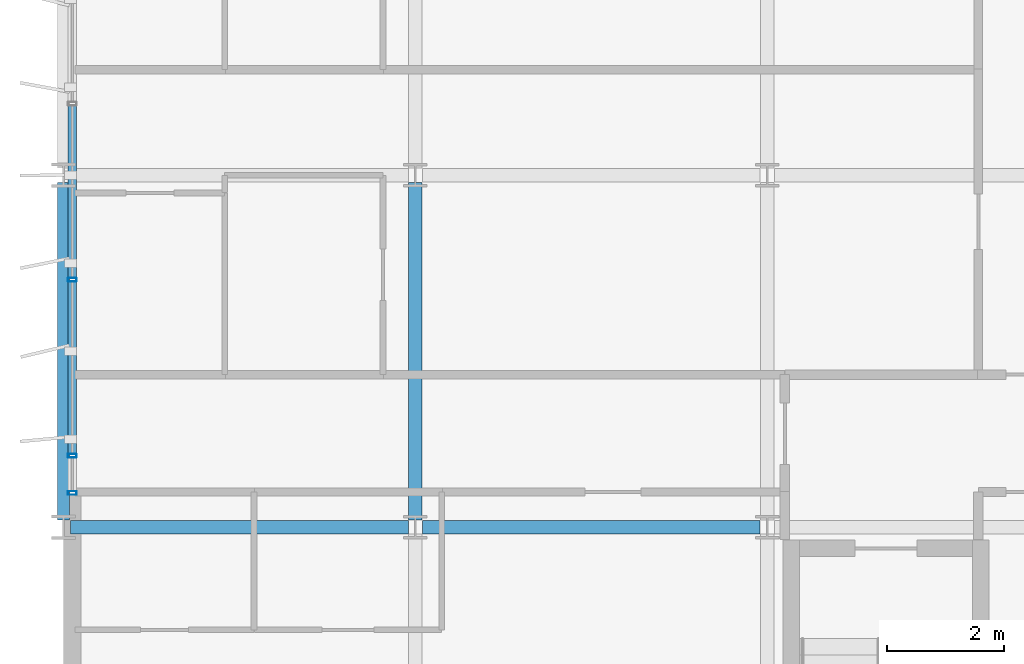
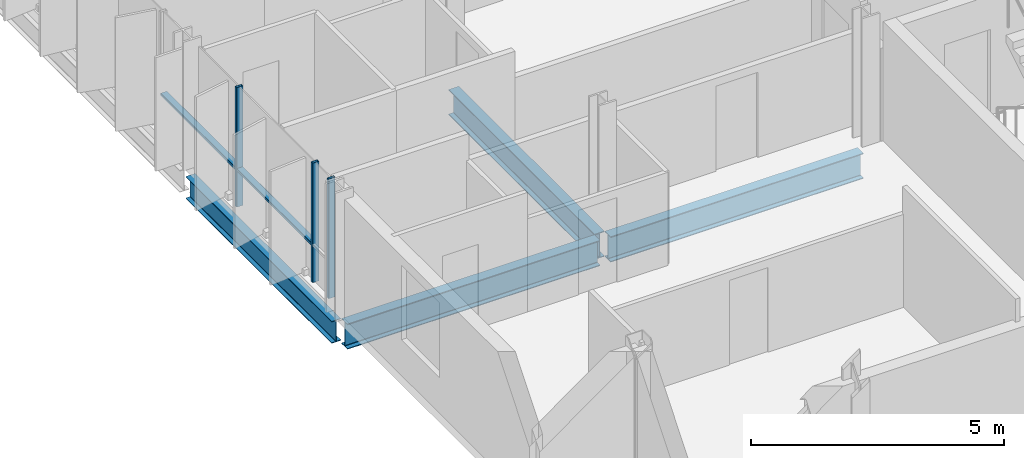
# One storey, part 4 of 39: 5 members, 4 beams, 1 element without a shape of its own.
"""IFC4 building model written with IfcOpenShell, lengths in metres."""

import ifcopenshell
import ifcopenshell.guid

model = None  # the IFC model being written
_history = None  # IfcOwnerHistory: only IFC2X3 demands one
_inside = {}  # id of a spatial element -> (the spatial element, [elements in it])
_under = {}  # id of a project, library or spatial element -> (it, [spatial elements below it])
_declared = {}  # id of a project -> (the project, [libraries it declares])
_typed = {}  # id of a type object -> (the type object, [elements of that type])
_made_of = {}  # id of a material, layer set ... -> (it, [elements and type objects made of it])


def new_model(schema):
    """Start an empty IFC model of exactly this schema.

    Asked for "IFC4X3", IfcOpenShell would pick the latest addendum, in which some entities
    have other attributes; the version numbers below select the first issue.
    IFC2X3 requires an IfcOwnerHistory on every rooted entity: one is made here for all.
    """
    global model, _history
    if schema == "IFC4X3":
        model = ifcopenshell.file(schema_version=(4, 3, 0, 0))
    else:
        model = ifcopenshell.file(schema=schema)
    _inside.clear()
    _under.clear()
    _declared.clear()
    _typed.clear()
    _made_of.clear()
    _history = None
    if model.schema == "IFC2X3":
        org = make("IfcOrganization", Name="unknown")
        user = make(
            "IfcPersonAndOrganization",
            ThePerson=make("IfcPerson", FamilyName="unknown"),
            TheOrganization=org,
        )
        app = make(
            "IfcApplication",
            ApplicationDeveloper=org,
            Version="unknown",
            ApplicationFullName="unknown",
            ApplicationIdentifier="unknown",
        )
        _history = make(
            "IfcOwnerHistory",
            OwningUser=user,
            OwningApplication=app,
            ChangeAction="ADDED",
            CreationDate=0,
        )
    return model


def make(cls, **values):
    """One entity of the class cls with the attributes given. An attribute that is None is left unset."""
    return model.create_entity(
        cls, **{name: value for name, value in values.items() if value is not None}
    )


def rooted(cls, **values):
    """An entity with a GlobalId (a new one), such as an element, a storey or a relation."""
    return make(cls, GlobalId=ifcopenshell.guid.new(), OwnerHistory=_history, **values)


def si_unit(unit_type, name, prefix=None):
    """IfcSIUnit, for example si_unit("LENGTHUNIT", "METRE", prefix="MILLI")."""
    return make("IfcSIUnit", UnitType=unit_type, Prefix=prefix, Name=name)


def assignment(units):
    """IfcUnitAssignment: the units of a project."""
    return None if units is None else make("IfcUnitAssignment", Units=units)


def point(xyz):
    """IfcCartesianPoint."""
    return None if xyz is None else make("IfcCartesianPoint", Coordinates=xyz)


def direction(xyz):
    """IfcDirection."""
    return None if xyz is None else make("IfcDirection", DirectionRatios=xyz)


def frame(location, z_axis=None, x_axis=None):
    """IfcAxis2Placement3D, a coordinate frame: its origin and axes. An axis left out is left unset."""
    return make(
        "IfcAxis2Placement3D",
        Location=point(location),
        Axis=direction(z_axis),
        RefDirection=direction(x_axis),
    )


def frame_2d(location, x_axis=None):
    """IfcAxis2Placement2D, a coordinate frame in the plane: its origin and x axis."""
    return make(
        "IfcAxis2Placement2D", Location=point(location), RefDirection=direction(x_axis)
    )


def origin():
    """The frame at (0, 0, 0) with its axes left unset."""
    return frame((0.0, 0.0, 0.0))


def origin_2d():
    """The frame at (0, 0) in the plane with its x axis left unset."""
    return frame_2d((0.0, 0.0))


def place(relative_to, where):
    """IfcLocalPlacement: puts the frame where relative to a parent placement (None: the world)."""
    return make(
        "IfcLocalPlacement", PlacementRelTo=relative_to, RelativePlacement=where
    )


def context(
    kind, dimensions, precision=None, world=None, true_north=None, identifier=None
):
    """IfcGeometricRepresentationContext, for example the 3D "Model" context."""
    return make(
        "IfcGeometricRepresentationContext",
        ContextIdentifier=identifier,
        ContextType=kind,
        CoordinateSpaceDimension=dimensions,
        Precision=precision,
        WorldCoordinateSystem=world,
        TrueNorth=true_north,
    )


def subcontext(parent, identifier, kind, view, scale=None):
    """IfcGeometricRepresentationSubContext, for example "Body" below "Model"."""
    return make(
        "IfcGeometricRepresentationSubContext",
        ContextIdentifier=identifier,
        ContextType=kind,
        ParentContext=parent,
        TargetScale=scale,
        TargetView=view,
    )


def project(units=None, contexts=None):
    """IfcProject with its units and contexts."""
    return rooted(
        "IfcProject",
        Name="project",
        RepresentationContexts=contexts,
        UnitsInContext=assignment(units),
    )


def spatial(cls, under=None, at=None, **own):
    """A site, building, storey or space (cls), placed at a placement, below another one or the project."""
    s = rooted(cls, ObjectPlacement=at, **own)
    if under is not None:
        _under.setdefault(under.id(), (under, []))[1].append(s)
    return s


def profile(cls, at=None, kind="AREA", **sizes):
    """A parametric profile (cls). Its sizes go by their IFC names, for example OverallWidth=200.0."""
    return make(cls, ProfileType=kind, Position=at, **sizes)


def hollow_rectangle(**sizes):
    """IfcRectangleHollowProfileDef."""
    return profile("IfcRectangleHollowProfileDef", **sizes)


def i_section(**sizes):
    """IfcIShapeProfileDef."""
    return profile("IfcIShapeProfileDef", **sizes)


def extrude(swept, where, along, depth):
    """IfcExtrudedAreaSolid: the profile swept, set in the frame where, extruded along a direction by depth."""
    return make(
        "IfcExtrudedAreaSolid",
        SweptArea=swept,
        Position=where,
        ExtrudedDirection=direction(along),
        Depth=depth,
    )


def shape(context_of_items, identifier, shape_type, items):
    """IfcShapeRepresentation: the items that make up one representation, for example the "Body"."""
    return make(
        "IfcShapeRepresentation",
        ContextOfItems=context_of_items,
        RepresentationIdentifier=identifier,
        RepresentationType=shape_type,
        Items=items,
    )


def material(Name=None, Category=None):
    """IfcMaterial."""
    return make("IfcMaterial", Name=Name, Category=Category)


def layer(
    of_material, thickness, ventilated=None, Name=None, Category=None, Priority=None
):
    """IfcMaterialLayer: one layer of a wall or slab, of a material (None: an air gap)."""
    return make(
        "IfcMaterialLayer",
        Material=of_material,
        LayerThickness=thickness,
        IsVentilated=ventilated,
        Name=Name,
        Category=Category,
        Priority=Priority,
    )


def layer_set(layers, Name=None):
    """IfcMaterialLayerSet."""
    return make("IfcMaterialLayerSet", MaterialLayers=layers, LayerSetName=Name)


def material_profile(
    of_material, cross_section, Name=None, Category=None, Priority=None
):
    """IfcMaterialProfile: a cross section and its material."""
    return make(
        "IfcMaterialProfile",
        Name=Name,
        Material=of_material,
        Profile=cross_section,
        Priority=Priority,
        Category=Category,
    )


def profile_set(profiles, Name=None, composite=None):
    """IfcMaterialProfileSet."""
    return make(
        "IfcMaterialProfileSet",
        Name=Name,
        MaterialProfiles=profiles,
        CompositeProfile=composite,
    )


def made_of(thing, what):
    """Note that an element or type object is made of a material, layer set ...; save() writes the relation."""
    if what is not None:
        _made_of.setdefault(what.id(), (what, []))[1].append(thing)
    return thing


def type_object(cls, material=None, **own):
    """A type object (cls), such as IfcWallType, which elements share."""
    return made_of(rooted(cls, **own), material)


def element(
    cls,
    number,
    at=None,
    inside=None,
    cuts=None,
    type_object=None,
    material=None,
    context=None,
    identifier="Body",
    shape_type=None,
    held_by="IfcProductDefinitionShape",
    body=None,
    shapes=None,
    **own,
):
    """One element of the class cls, such as IfcWall. Its Tag is "e" and its number.

    at: its placement. inside: the storey or other place that contains it. cuts: it is an
    opening in that element (IfcRelVoidsElement). A single representation is given by context,
    identifier, shape_type and body (its items); several are given by shapes. held_by: the class
    of the entity that holds the representations. save() writes the other relations.
    """
    e = rooted(cls, Tag="e%d" % number, ObjectPlacement=at, **own)
    if body is not None:
        shapes = [shape(context, identifier, shape_type, body)]
    if shapes is not None:
        e.Representation = make(held_by, Representations=shapes)
    if inside is not None:
        _inside.setdefault(inside.id(), (inside, []))[1].append(e)
    if cuts is not None:
        rooted(
            "IfcRelVoidsElement", RelatingBuildingElement=cuts, RelatedOpeningElement=e
        )
    if type_object is not None:
        _typed.setdefault(type_object.id(), (type_object, []))[1].append(e)
    return made_of(e, material)


def aggregate(whole, parts):
    """IfcRelAggregates: a whole, such as a stair, and the parts it consists of."""
    return rooted("IfcRelAggregates", RelatingObject=whole, RelatedObjects=parts)


def save(model, path):
    """Write the relations noted so far, then the file.

    IfcRelAggregates (storeys below a building ...), IfcRelContainedInSpatialStructure (elements
    in a storey), IfcRelDefinesByType, IfcRelAssociatesMaterial and IfcRelDeclares: one each for
    every whole, place, type object, material and project.
    """
    for whole, parts in _under.values():
        aggregate(whole, parts)
    for where, things in _inside.values():
        rooted(
            "IfcRelContainedInSpatialStructure",
            RelatedElements=things,
            RelatingStructure=where,
        )
    for kind, things in _typed.values():
        rooted("IfcRelDefinesByType", RelatedObjects=things, RelatingType=kind)
    for what, things in _made_of.values():
        rooted("IfcRelAssociatesMaterial", RelatedObjects=things, RelatingMaterial=what)
    for by, libraries in _declared.values():
        rooted("IfcRelDeclares", RelatingContext=by, RelatedDefinitions=libraries)
    model.write(path)


model = new_model("IFC4")

# Units and contexts
model_context = context("Model", 3, precision=1e-05, world=origin(), true_north=direction((0.0, 1.0)))
body_context = subcontext(model_context, "Body", "Model", "MODEL_VIEW")
ifc_project = project(units=[si_unit("LENGTHUNIT", "METRE"), si_unit("AREAUNIT", "SQUARE_METRE"), si_unit("VOLUMEUNIT", "CUBIC_METRE"), si_unit("PLANEANGLEUNIT", "RADIAN"), si_unit("MASSUNIT", "GRAM", prefix="KILO")], contexts=[model_context])

# Site, building, storey
site_placement = place(None, origin())
site = spatial("IfcSite", under=ifc_project, at=site_placement, CompositionType="ELEMENT")
building_placement = place(site_placement, origin())
building = spatial("IfcBuilding", under=site, at=building_placement, Name="Brevholm Reach", CompositionType="ELEMENT")
storey_placement = place(building_placement, frame((0.0, 0.0, 154.199951171875)))
storey = spatial("IfcBuildingStorey", under=building, at=storey_placement, Name="L46", CompositionType="ELEMENT", Elevation=154.199951171875)

# Beams
ifc_material_1 = material(Name="Structural Steel S355J2", Category="steel")
ifc_material_profile_1 = material_profile(ifc_material_1, i_section(OverallWidth=0.209228515625, OverallDepth=0.533203125, WebThickness=0.010009765625, FlangeThickness=0.015625, FilletRadius=0.0126953125, at=origin_2d()), Name="UKB 533x210x92")
ifc_profile_set_1 = profile_set([ifc_material_profile_1], Name="Structural Steel S355J2")
beam_type_1 = type_object("IfcBeamType", Name="BM-SP533", PredefinedType="SPANDREL", material=ifc_profile_set_1)
beam_placement = place(storey_placement, frame((0.0, 10.1201171875, -0.486572265625), z_axis=(0.0, 1.0, 0.0), x_axis=(-1.0, 0.0, 0.0)))
element("IfcBeam", 1, at=beam_placement, inside=storey, type_object=beam_type_1, Name="L46 SP-02 Framing Beam", PredefinedType="SPANDREL", context=body_context, shape_type="SweptSolid", body=[
    extrude(i_section(OverallWidth=0.209228515625, OverallDepth=0.533203125, WebThickness=0.010009765625, FlangeThickness=0.015625, FilletRadius=0.0126953125, at=origin_2d()), origin(), (0.0, 0.0, 1.0), 5.759765625),
])
ifc_material_2 = material(Name="Structural Steel S355J2", Category="steel")
ifc_material_profile_2 = material_profile(ifc_material_2, i_section(OverallWidth=0.22900390625, OverallDepth=0.6123046875, WebThickness=0.011962890625, FlangeThickness=0.01953125, FilletRadius=0.0126953125, at=origin_2d()), Name="UKB 610x229x125")
ifc_profile_set_2 = profile_set([ifc_material_profile_2], Name="Structural Steel S355J2")
beam_type_2 = type_object("IfcBeamType", Name="BM-SP610", PredefinedType="SPANDREL", material=ifc_profile_set_2)
for number, where, z_axis, x_axis, name in (
    (2, (0.1201171875, 10.0, -0.526123046875), (1.0, 0.0, 0.0), (0.0, 1.0, 0.0), "L46 SP-01 Framing Beam"),
    (3, (6.1201171875, 10.0, -0.526123046875), (1.0, 0.0, 0.0), (0.0, 1.0, 0.0), "L46 SP-01 Framing Beam"),
    (4, (6.0, 10.1201171875, -0.526123046875), (0.0, 1.0, 0.0), (-1.0, 0.0, 0.0), "L46 SP-01 Framing Beam"),
):
    element("IfcBeam", number, at=place(storey_placement, frame(where, z_axis=z_axis, x_axis=x_axis)), inside=storey, type_object=beam_type_2, Name=name, PredefinedType="SPANDREL", context=body_context, shape_type="SweptSolid", body=[
        extrude(i_section(OverallWidth=0.22900390625, OverallDepth=0.6123046875, WebThickness=0.011962890625, FlangeThickness=0.01953125, FilletRadius=0.0126953125, at=origin_2d()), origin(), (0.0, 0.0, 1.0), 5.759765625),
    ])

# Curtain wall, members
ifc_material_3 = material(Name="Dark Anodised Aluminium 6063-T6 and Solar-Control Glass", Category="aluminium")
ifc_layer = layer(ifc_material_3, 0.14990234375)
ifc_layer_set = layer_set([ifc_layer], Name="Dark Anodised Aluminium 6063-T6 and Solar-Control Glass")
curtain_wall_type = type_object("IfcCurtainWallType", Name="CW-01", PredefinedType="NOTDEFINED", material=ifc_layer_set)
curtain_wall_placement = place(storey_placement, origin())
curtain_wall = element("IfcCurtainWall", 5, at=curtain_wall_placement, inside=storey, type_object=curtain_wall_type, Name="L46 Curtain Wall CW-01", PredefinedType="NOTDEFINED")
ifc_material_4 = material(Name="Dark Anodised Aluminium 6063-T6", Category="aluminium")
ifc_material_profile_3 = material_profile(ifc_material_4, hollow_rectangle(XDim=0.06494140625, YDim=0.14990234375, WallThickness=0.0048828125, InnerFilletRadius=0.0048828125, OuterFilletRadius=0.010009765625, at=origin_2d()), Name="RHS 150x65x5")
ifc_profile_set_3 = profile_set([ifc_material_profile_3], Name="Dark Anodised Aluminium 6063-T6")
member_type_1 = type_object("IfcMemberType", Name="CWM-150", PredefinedType="MULLION", material=ifc_profile_set_3)
member_1_placement = place(storey_placement, frame((0.14990234375, 14.219970703125, 0.0), z_axis=(0.0, 0.0, 1.0), x_axis=(0.0, -1.0, 0.0)))
member_1 = element("IfcMember", 6, at=member_1_placement, type_object=member_type_1, Name="CM-150 Mullion 4", PredefinedType="MULLION", context=body_context, shape_type="SweptSolid", body=[
    extrude(hollow_rectangle(XDim=0.06494140625, YDim=0.14990234375, WallThickness=0.0048828125, InnerFilletRadius=0.0048828125, OuterFilletRadius=0.010009765625, at=origin_2d()), origin(), (0.0, 0.0, 1.0), 2.880126953125),
])
member_2_placement = place(storey_placement, frame((0.14990234375, 11.219970703125, 0.0), z_axis=(0.0, 0.0, 1.0), x_axis=(0.0, -1.0, 0.0)))
member_2 = element("IfcMember", 7, at=member_2_placement, type_object=member_type_1, Name="CM-150 Mullion 5", PredefinedType="MULLION", context=body_context, shape_type="SweptSolid", body=[
    extrude(hollow_rectangle(XDim=0.06494140625, YDim=0.14990234375, WallThickness=0.0048828125, InnerFilletRadius=0.0048828125, OuterFilletRadius=0.010009765625, at=origin_2d()), origin(), (0.0, 0.0, 1.0), 2.880126953125),
])
member_3_placement = place(storey_placement, frame((0.14990234375, 10.58251953125, 0.0), z_axis=(0.0, 0.0, 1.0), x_axis=(0.0, -1.0, 0.0)))
member_3 = element("IfcMember", 8, at=member_3_placement, type_object=member_type_1, Name="CM-150 Mullion 6", PredefinedType="MULLION", context=body_context, shape_type="SweptSolid", body=[
    extrude(hollow_rectangle(XDim=0.06494140625, YDim=0.14990234375, WallThickness=0.0048828125, InnerFilletRadius=0.0048828125, OuterFilletRadius=0.010009765625, at=origin_2d()), origin(), (0.0, 0.0, 1.0), 2.880126953125),
])
ifc_material_5 = material(Name="Dark Anodised Aluminium 6063-T6", Category="aluminium")
ifc_material_profile_4 = material_profile(ifc_material_5, hollow_rectangle(XDim=0.06494140625, YDim=0.14990234375, WallThickness=0.0048828125, InnerFilletRadius=0.0048828125, OuterFilletRadius=0.010009765625, at=origin_2d()), Name="RHS 150x65x5")
ifc_profile_set_4 = profile_set([ifc_material_profile_4], Name="Dark Anodised Aluminium 6063-T6")
member_type_2 = type_object("IfcMemberType", Name="CWT-150", PredefinedType="NOTDEFINED", material=ifc_profile_set_4)
member_4_placement = place(storey_placement, frame((0.14990234375, 17.1875, 0.900146484375), z_axis=(0.0, -1.0, 0.0), x_axis=(0.0, 0.0, 1.0)))
member_4 = element("IfcMember", 9, at=member_4_placement, type_object=member_type_2, Name="CT-150 Transom 3.1", ObjectType="TRANSOM", PredefinedType="USERDEFINED", context=body_context, shape_type="SweptSolid", body=[
    extrude(hollow_rectangle(XDim=0.06494140625, YDim=0.14990234375, WallThickness=0.0048828125, InnerFilletRadius=0.0048828125, OuterFilletRadius=0.010009765625, at=origin_2d()), origin(), (0.0, 0.0, 1.0), 2.93505859375),
])
member_5_placement = place(storey_placement, frame((0.14990234375, 14.1875, 0.900146484375), z_axis=(0.0, -1.0, 0.0), x_axis=(0.0, 0.0, 1.0)))
member_5 = element("IfcMember", 10, at=member_5_placement, type_object=member_type_2, Name="CT-150 Transom 4.1", ObjectType="TRANSOM", PredefinedType="USERDEFINED", context=body_context, shape_type="SweptSolid", body=[
    extrude(hollow_rectangle(XDim=0.06494140625, YDim=0.14990234375, WallThickness=0.0048828125, InnerFilletRadius=0.0048828125, OuterFilletRadius=0.010009765625, at=origin_2d()), origin(), (0.0, 0.0, 1.0), 2.93505859375),
])
aggregate(curtain_wall, [member_1, member_2, member_3, member_4, member_5])

save(model, "model.ifc")
